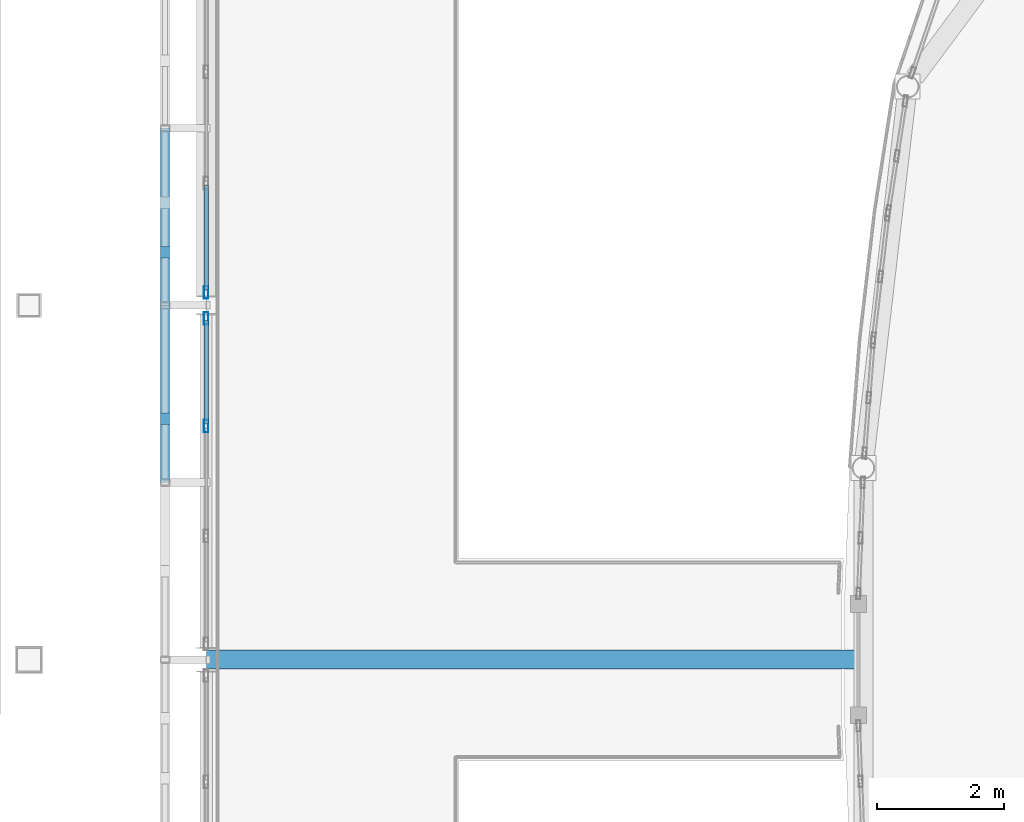
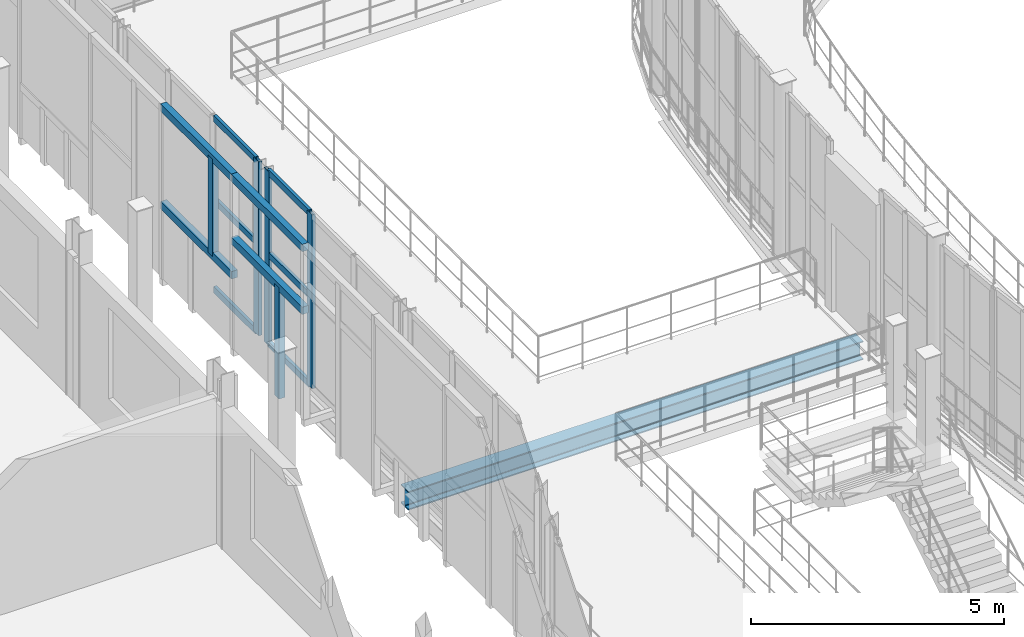
# One storey, part 37 of 138: 15 members, 1 beam, 2 elements without a shape of their own.
"""IFC4 building model written with IfcOpenShell, lengths in metres."""

from ifc_helpers import new_model, si_unit, direction, frame, origin, origin_2d, place, context, subcontext, project, spatial, rectangle, hollow_rectangle, i_section, extrude, material, layer, layer_set, material_profile, profile_set, type_object, element, aggregate, save


model = new_model("IFC4")

# Units and contexts
model_context = context("Model", 3, precision=1e-05, world=origin(), true_north=direction((0.0, 1.0)))
body_context = subcontext(model_context, "Body", "Model", "MODEL_VIEW")
ifc_project = project(units=[si_unit("LENGTHUNIT", "METRE"), si_unit("AREAUNIT", "SQUARE_METRE"), si_unit("VOLUMEUNIT", "CUBIC_METRE"), si_unit("PLANEANGLEUNIT", "RADIAN"), si_unit("MASSUNIT", "GRAM", prefix="KILO")], contexts=[model_context])

# Site, building, storey
site_placement = place(None, origin())
site = spatial("IfcSite", under=ifc_project, at=site_placement, CompositionType="ELEMENT")
building_placement = place(site_placement, origin())
building = spatial("IfcBuilding", under=site, at=building_placement, Name="Vinh Khe Railworks Police Headquarters", CompositionType="ELEMENT")
storey_placement = place(building_placement, frame((0.0, 0.0, 9.0)))
storey = spatial("IfcBuildingStorey", under=building, at=storey_placement, Name="L02", CompositionType="ELEMENT", Elevation=9.0)

# Members
ifc_material_1 = material(Name="Salvaged ironwood timber", Category="wood")
ifc_material_profile_1 = material_profile(ifc_material_1, rectangle(XDim=0.139892578125, YDim=0.179931640625, at=origin_2d()), Name="TIMBER 140x180")
ifc_profile_set_1 = profile_set([ifc_material_profile_1], Name="Salvaged ironwood timber")
member_type_1 = type_object("IfcMemberType", Name="MEM-QUILT-STILE", PredefinedType="CHORD", material=ifc_profile_set_1)
for number, where, z_axis, x_axis, name in (
    (1, (25.75, 44.800048828125, 4.1201171875), (0.0, 1.0, 0.0), (-1.0, 0.0, 0.0), "Salvaged Timber Quilt Transom W-L02-07-TOP"),
    (2, (25.75, 44.800048828125, 2.60400390625), (0.0, 1.0, 0.0), (-1.0, 0.0, 0.0), "Salvaged Timber Quilt Transom W-L02-07-M1"),
):
    element("IfcMember", number, at=place(storey_placement, frame(where, z_axis=z_axis, x_axis=x_axis)), inside=storey, type_object=member_type_1, Name=name, PredefinedType="CHORD", context=body_context, shape_type="SweptSolid", body=[
        extrude(rectangle(XDim=0.139892578125, YDim=0.179931640625, at=origin_2d()), origin(), (0.0, 0.0, 1.0), 2.800048828125),
    ])
member_1_placement = place(storey_placement, frame((25.75, 45.80810546875, -0.080078125), z_axis=(0.0, 0.0, 1.0), x_axis=(1.0, 0.0, 0.0)))
element("IfcMember", 3, at=member_1_placement, inside=storey, type_object=member_type_1, Name="Salvaged Timber Quilt Stile W-L02-07-V1", PredefinedType="POST", context=body_context, shape_type="SweptSolid", body=[
    extrude(rectangle(XDim=0.139892578125, YDim=0.179931640625, at=origin_2d()), origin(), (0.0, 0.0, 1.0), 2.68408203125),
])
for number, where, z_axis, x_axis, name in (
    (4, (25.75, 47.60009765625, 4.1201171875), (0.0, 1.0, 0.0), (-1.0, 0.0, 0.0), "Salvaged Timber Quilt Transom W-L02-08-TOP"),
    (5, (25.75, 47.60009765625, 1.763916015625), (0.0, 1.0, 0.0), (-1.0, 0.0, 0.0), "Salvaged Timber Quilt Transom W-L02-08-M1"),
):
    element("IfcMember", number, at=place(storey_placement, frame(where, z_axis=z_axis, x_axis=x_axis)), inside=storey, type_object=member_type_1, Name=name, PredefinedType="CHORD", context=body_context, shape_type="SweptSolid", body=[
        extrude(rectangle(XDim=0.139892578125, YDim=0.179931640625, at=origin_2d()), origin(), (0.0, 0.0, 1.0), 2.7998046875),
    ])
member_2_placement = place(storey_placement, frame((25.75, 48.43994140625, 1.763916015625), z_axis=(0.0, 0.0, 1.0), x_axis=(1.0, 0.0, 0.0)))
element("IfcMember", 6, at=member_2_placement, inside=storey, type_object=member_type_1, Name="Salvaged Timber Quilt Stile W-L02-08-V2", PredefinedType="POST", context=body_context, shape_type="SweptSolid", body=[
    extrude(rectangle(XDim=0.139892578125, YDim=0.179931640625, at=origin_2d()), origin(), (0.0, 0.0, 1.0), 2.356201171875),
])

# Curtain wall, members
ifc_material_2 = material(Name="Anodised aluminium and low-iron glass", Category="aluminium")
ifc_layer = layer(ifc_material_2, 0.179931640625)
ifc_layer_set = layer_set([ifc_layer], Name="Anodised aluminium and low-iron glass")
curtain_wall_type = type_object("IfcCurtainWallType", Name="CW-CUBE-UNIT", PredefinedType="USERDEFINED", material=ifc_layer_set)
curtain_wall_1_placement = place(storey_placement, origin())
curtain_wall_1 = element("IfcCurtainWall", 7, at=curtain_wall_1_placement, inside=storey, type_object=curtain_wall_type, Name="Entrance Hall Curtain Wall L02 W-4", ObjectType="UNITISED GLAZING", PredefinedType="USERDEFINED")
ifc_material_3 = material(Name="Anodised aluminium 6063-T6", Category="aluminium")
ifc_material_profile_2 = material_profile(ifc_material_3, hollow_rectangle(XDim=0.070068359375, YDim=0.199951171875, WallThickness=0.0048828125, at=origin_2d()), Name="CW-M 70x200x5")
ifc_profile_set_2 = profile_set([ifc_material_profile_2], Name="Anodised aluminium 6063-T6")
member_type_2 = type_object("IfcMemberType", Name="MULL-CWM-03", PredefinedType="MULLION", material=ifc_profile_set_2)
member_3_placement = place(storey_placement, frame((26.39990234375, 45.691650390625, 0.0), z_axis=(0.0, 0.0, 1.0), x_axis=(-1.0, 0.0, 0.0)))
member_3 = element("IfcMember", 8, at=member_3_placement, type_object=member_type_2, Name="CW-01 mullion 3", PredefinedType="MULLION", context=body_context, shape_type="SweptSolid", body=[
    extrude(hollow_rectangle(XDim=0.070068359375, YDim=0.199951171875, WallThickness=0.0048828125, at=origin_2d()), origin(), (0.0, 0.0, 1.0), 4.199951171875),
])
member_4_placement = place(storey_placement, frame((26.39990234375, 47.39501953125, 0.0), z_axis=(0.0, 0.0, 1.0), x_axis=(-1.0, 0.0, 0.0)))
member_4 = element("IfcMember", 9, at=member_4_placement, type_object=member_type_2, Name="CW-01 mullion 4", PredefinedType="MULLION", context=body_context, shape_type="SweptSolid", body=[
    extrude(hollow_rectangle(XDim=0.070068359375, YDim=0.199951171875, WallThickness=0.0048828125, at=origin_2d()), origin(), (0.0, 0.0, 1.0), 4.199951171875),
])

# Curtain wall, member
curtain_wall_2_placement = place(storey_placement, origin())
curtain_wall_2 = element("IfcCurtainWall", 10, at=curtain_wall_2_placement, inside=storey, type_object=curtain_wall_type, Name="Entrance Hall Curtain Wall L02 W-5", ObjectType="UNITISED GLAZING", PredefinedType="USERDEFINED")
member_5_placement = place(storey_placement, frame((26.39990234375, 47.804931640625, 0.0), z_axis=(0.0, 0.0, 1.0), x_axis=(-1.0, 0.0, 0.0)))
member_5 = element("IfcMember", 11, at=member_5_placement, type_object=member_type_2, Name="CW-01 mullion 1", PredefinedType="MULLION", context=body_context, shape_type="SweptSolid", body=[
    extrude(hollow_rectangle(XDim=0.070068359375, YDim=0.199951171875, WallThickness=0.0048828125, at=origin_2d()), origin(), (0.0, 0.0, 1.0), 4.199951171875),
])

# Beam
ifc_material_4 = material(Name="Steel S355JR", Category="steel")
ifc_material_profile_3 = material_profile(ifc_material_4, i_section(OverallWidth=0.300048828125, OverallDepth=0.449951171875, WebThickness=0.013916015625, FlangeThickness=0.02587890625, FilletRadius=0.027099609375, at=origin_2d()), Name="HEB 450")
ifc_profile_set_3 = profile_set([ifc_material_profile_3], Name="Steel S355JR")
beam_type = type_object("IfcBeamType", Name="Steel Girder HEB 450", PredefinedType="BEAM", material=ifc_profile_set_3)
beam_placement = place(storey_placement, frame((26.39990234375, 42.0, -0.445068359375), z_axis=(1.0, 0.0, 0.0), x_axis=(0.0, 1.0, 0.0)))
element("IfcBeam", 12, at=beam_placement, inside=storey, type_object=beam_type, Name="Concourse Link Bridge Girder BM-L02-LINK-SB-07-1031", PredefinedType="BEAM", context=body_context, shape_type="SweptSolid", body=[
    extrude(i_section(OverallWidth=0.300048828125, OverallDepth=0.449951171875, WebThickness=0.013916015625, FlangeThickness=0.02587890625, FilletRadius=0.027099609375, at=origin_2d()), origin(), (0.0, 0.0, 1.0), 10.3876953125),
])

# Member
ifc_material_profile_4 = material_profile(ifc_material_3, hollow_rectangle(XDim=0.070068359375, YDim=0.14990234375, WallThickness=0.0048828125, at=origin_2d()), Name="CW-T 70x150x5")
ifc_profile_set_4 = profile_set([ifc_material_profile_4], Name="Anodised aluminium 6063-T6")
member_type_3 = type_object("IfcMemberType", Name="TRAN-CWT-03", PredefinedType="USERDEFINED", material=ifc_profile_set_4)
member_6_placement = place(storey_placement, frame((26.39990234375, 45.7265625, 0.034912109375), z_axis=(0.0, 1.0, 0.0), x_axis=(-1.0, 0.0, 0.0)))
member_6 = element("IfcMember", 13, at=member_6_placement, type_object=member_type_3, Name="CW-01 transom 3.1", ObjectType="TRANSOM", PredefinedType="USERDEFINED", context=body_context, shape_type="SweptSolid", body=[
    extrude(hollow_rectangle(XDim=0.070068359375, YDim=0.14990234375, WallThickness=0.0048828125, at=origin_2d()), origin(), (0.0, 0.0, 1.0), 1.633544921875),
])

member_7_placement = place(storey_placement, frame((26.39990234375, 45.7265625, 2.18408203125), z_axis=(0.0, 1.0, 0.0), x_axis=(-1.0, 0.0, 0.0)))
member_7 = element("IfcMember", 14, at=member_7_placement, type_object=member_type_3, Name="CW-01 transom 3.2", ObjectType="TRANSOM", PredefinedType="USERDEFINED", context=body_context, shape_type="SweptSolid", body=[
    extrude(hollow_rectangle(XDim=0.070068359375, YDim=0.14990234375, WallThickness=0.0048828125, at=origin_2d()), origin(), (0.0, 0.0, 1.0), 1.633544921875),
])

member_8_placement = place(storey_placement, frame((26.39990234375, 45.7265625, 4.1650390625), z_axis=(0.0, 1.0, 0.0), x_axis=(-1.0, 0.0, 0.0)))
member_8 = element("IfcMember", 15, at=member_8_placement, type_object=member_type_3, Name="CW-01 transom 3.3", ObjectType="TRANSOM", PredefinedType="USERDEFINED", context=body_context, shape_type="SweptSolid", body=[
    extrude(hollow_rectangle(XDim=0.070068359375, YDim=0.14990234375, WallThickness=0.0048828125, at=origin_2d()), origin(), (0.0, 0.0, 1.0), 1.633544921875),
])

aggregate(curtain_wall_1, [member_3, member_4, member_6, member_7, member_8])

member_9_placement = place(storey_placement, frame((26.39990234375, 47.840087890625, 0.034912109375), z_axis=(0.0, 1.0, 0.0), x_axis=(-1.0, 0.0, 0.0)))
member_9 = element("IfcMember", 16, at=member_9_placement, type_object=member_type_3, Name="CW-01 transom 1.1", ObjectType="TRANSOM", PredefinedType="USERDEFINED", context=body_context, shape_type="SweptSolid", body=[
    extrude(hollow_rectangle(XDim=0.070068359375, YDim=0.14990234375, WallThickness=0.0048828125, at=origin_2d()), origin(), (0.0, 0.0, 1.0), 1.655029296875),
])

member_10_placement = place(storey_placement, frame((26.39990234375, 47.840087890625, 2.18408203125), z_axis=(0.0, 1.0, 0.0), x_axis=(-1.0, 0.0, 0.0)))
member_10 = element("IfcMember", 17, at=member_10_placement, type_object=member_type_3, Name="CW-01 transom 1.2", ObjectType="TRANSOM", PredefinedType="USERDEFINED", context=body_context, shape_type="SweptSolid", body=[
    extrude(hollow_rectangle(XDim=0.070068359375, YDim=0.14990234375, WallThickness=0.0048828125, at=origin_2d()), origin(), (0.0, 0.0, 1.0), 1.655029296875),
])

member_11_placement = place(storey_placement, frame((26.39990234375, 47.840087890625, 4.1650390625), z_axis=(0.0, 1.0, 0.0), x_axis=(-1.0, 0.0, 0.0)))
member_11 = element("IfcMember", 18, at=member_11_placement, type_object=member_type_3, Name="CW-01 transom 1.3", ObjectType="TRANSOM", PredefinedType="USERDEFINED", context=body_context, shape_type="SweptSolid", body=[
    extrude(hollow_rectangle(XDim=0.070068359375, YDim=0.14990234375, WallThickness=0.0048828125, at=origin_2d()), origin(), (0.0, 0.0, 1.0), 1.655029296875),
])

aggregate(curtain_wall_2, [member_5, member_9, member_10, member_11])

save(model, "model.ifc")
